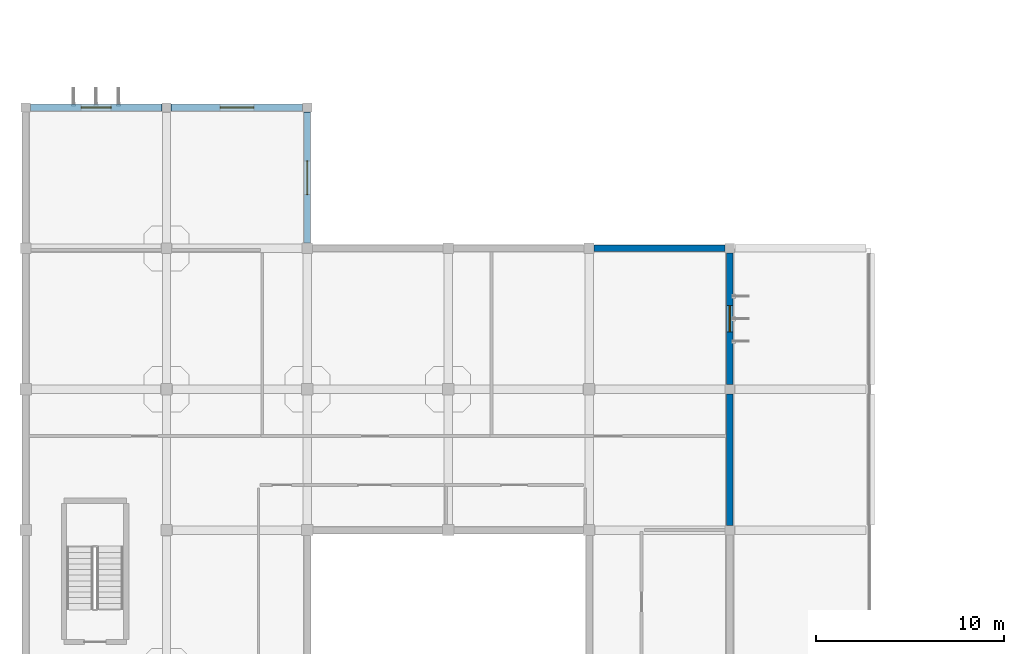
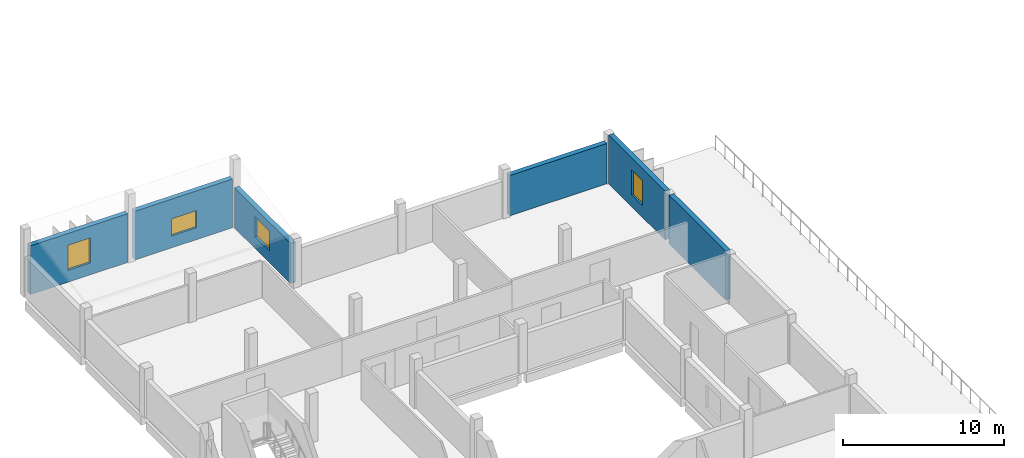
# One storey, part 7 of 21: 6 walls, 4 windows, 4 openings.
"""IFC4 building model written with IfcOpenShell, lengths in metres."""

from ifc_helpers import new_model, si_unit, direction, frame, frame_2d, origin, place, context, subcontext, project, spatial, rectangle, extrude, material, layer, layer_set, type_object, element, fill, save


model = new_model("IFC4")

# Units and contexts
model_context = context("Model", 3, precision=1e-05, world=origin(), true_north=direction((0.0, 1.0)))
body_context = subcontext(model_context, "Body", "Model", "MODEL_VIEW")
ifc_project = project(units=[si_unit("LENGTHUNIT", "METRE"), si_unit("AREAUNIT", "SQUARE_METRE"), si_unit("VOLUMEUNIT", "CUBIC_METRE"), si_unit("PLANEANGLEUNIT", "RADIAN"), si_unit("MASSUNIT", "GRAM", prefix="KILO")], contexts=[model_context])

# Site, building, storey
site_placement = place(None, origin())
site = spatial("IfcSite", under=ifc_project, at=site_placement, CompositionType="ELEMENT")
building_placement = place(site_placement, origin())
building = spatial("IfcBuilding", under=site, at=building_placement, Name="Mawjan Specialist Oncology Clinic", CompositionType="ELEMENT")
storey_placement = place(building_placement, frame((0.0, 0.0, 13.5)))
storey = spatial("IfcBuildingStorey", under=building, at=storey_placement, Name="L03", CompositionType="ELEMENT", Elevation=13.5)

# Wall
ifc_material_1 = material(Name="Precast concrete C40/50", Category="concrete")
ifc_layer = layer(ifc_material_1, 0.35009765625, Name="Precast concrete C40/50", Category="concrete")
ifc_layer_set = layer_set([ifc_layer], Name="Precast concrete C40/50")
wall_type = type_object("IfcWallType", Name="EW-350", PredefinedType="SOLIDWALL", material=ifc_layer_set)
wall_1_placement = place(storey_placement, frame((30.27490234375, 45.800048828125, 0.0), z_axis=(0.0, 0.0, 1.0), x_axis=(1.0, 0.0, 0.0)))
element("IfcWall", 1, at=wall_1_placement, inside=storey, type_object=wall_type, Name="L03 Coral-Limestone Exterior Wall EW-L03-272", PredefinedType="SOLIDWALL", context=body_context, shape_type="SweptSolid", body=[
    extrude(rectangle(XDim=6.97509765625, YDim=0.35009765625, at=frame_2d((3.487548828125, 0.0))), origin(), (0.0, 0.0, 1.0), 3.054931640625),
])

# Wall, opening, window
wall_2_placement = place(storey_placement, frame((37.5, 45.550048828125, 0.0), z_axis=(0.0, 0.0, 1.0), x_axis=(0.0, -1.0, 0.0)))
wall_2 = element("IfcWall", 2, at=wall_2_placement, inside=storey, type_object=wall_type, Name="L03 Coral-Limestone Exterior Wall EW-L03-273", PredefinedType="SOLIDWALL", context=body_context, shape_type="SweptSolid", body=[
    extrude(rectangle(XDim=7.0, YDim=0.35009765625, at=frame_2d((3.5, 0.0))), origin(), (0.0, 0.0, 1.0), 3.699951171875),
])
opening_1_placement = place(wall_2_placement, frame((2.800048828125, 0.0, 0.89990234375)))
opening_1 = element("IfcOpeningElement", 3, at=opening_1_placement, cuts=wall_2, Name="Opening WN-16", PredefinedType="OPENING", context=body_context, shape_type="SweptSolid", body=[
    extrude(rectangle(XDim=1.39990234375, YDim=1.89990234375, at=frame_2d((0.699951171875, 0.949951171875))), frame((0.0, 0.18701171875, 0.0), z_axis=(0.0, -1.0, 0.0), x_axis=(1.0, 0.0, 0.0)), (0.0, 0.0, 1.0), 0.3740234375),
])
ifc_material_2 = material(Name="Thermally broken low-E clinical aluminium window", Category="aluminium")
window_type_1 = type_object("IfcWindowType", Name="WN-16", PartitioningType="SINGLE_PANEL", PredefinedType="WINDOW", material=ifc_material_2)
window_1_placement = place(opening_1_placement, origin())
window_1 = element("IfcWindow", 4, at=window_1_placement, inside=storey, type_object=window_type_1, Name="L03 Clinical Low-E Window 052", OverallHeight=1.89990234375, OverallWidth=1.39990234375, PartitioningType="SINGLE_PANEL", PredefinedType="WINDOW", context=body_context, shape_type="SweptSolid", body=[
    extrude(rectangle(XDim=1.39990234375, YDim=1.89990234375, at=frame_2d((0.699951171875, 0.949951171875))), frame((0.0, 0.030029296875, 0.0), z_axis=(0.0, -1.0, 0.0), x_axis=(1.0, 0.0, 0.0)), (0.0, 0.0, 1.0), 0.06005859375),
])
fill(opening_1, window_1)

# Wall
wall_3_placement = place(storey_placement, frame((37.5, 38.050048828125, 0.0), z_axis=(0.0, 0.0, 1.0), x_axis=(0.0, -1.0, 0.0)))
element("IfcWall", 5, at=wall_3_placement, inside=storey, type_object=wall_type, Name="L03 Coral-Limestone Exterior Wall EW-L03-274", PredefinedType="SOLIDWALL", context=body_context, shape_type="SweptSolid", body=[
    extrude(rectangle(XDim=7.0, YDim=0.35009765625, at=frame_2d((3.5, 0.0))), origin(), (0.0, 0.0, 1.0), 3.699951171875),
])

# Wall, opening, window
wall_4_placement = place(storey_placement, frame((0.25, 53.300048828125, 0.0), z_axis=(0.0, 0.0, 1.0), x_axis=(1.0, 0.0, 0.0)))
wall_4 = element("IfcWall", 6, at=wall_4_placement, inside=storey, type_object=wall_type, Name="L03 Coral-Limestone Exterior Wall EW-L03-291", PredefinedType="SOLIDWALL", context=body_context, shape_type="SweptSolid", body=[
    extrude(rectangle(XDim=7.0, YDim=0.35009765625, at=frame_2d((3.5, 0.0))), origin(), (0.0, 0.0, 1.0), 3.68994140625),
])
opening_2_placement = place(wall_4_placement, frame((2.699951171875, 0.0, 0.89990234375)))
opening_2 = element("IfcOpeningElement", 7, at=opening_2_placement, cuts=wall_4, Name="Opening WN-20", PredefinedType="OPENING", context=body_context, shape_type="SweptSolid", body=[
    extrude(rectangle(XDim=1.60009765625, YDim=1.89990234375, at=frame_2d((0.800048828125, 0.949951171875))), frame((0.0, 0.18701171875, 0.0), z_axis=(0.0, -1.0, 0.0), x_axis=(1.0, 0.0, 0.0)), (0.0, 0.0, 1.0), 0.3740234375),
])
ifc_material_3 = material(Name="Thermally broken low-E clinical aluminium window", Category="aluminium")
window_type_2 = type_object("IfcWindowType", Name="WN-20", PartitioningType="DOUBLE_PANEL_VERTICAL", PredefinedType="WINDOW", material=ifc_material_3)
window_2_placement = place(opening_2_placement, origin())
window_2 = element("IfcWindow", 8, at=window_2_placement, inside=storey, type_object=window_type_2, Name="L03 Clinical Low-E Window 056", OverallHeight=1.89990234375, OverallWidth=1.60009765625, PartitioningType="DOUBLE_PANEL_VERTICAL", PredefinedType="WINDOW", context=body_context, shape_type="SweptSolid", body=[
    extrude(rectangle(XDim=1.60009765625, YDim=1.89990234375, at=frame_2d((0.800048828125, 0.949951171875))), frame((0.0, 0.030029296875, 0.0), z_axis=(0.0, -1.0, 0.0), x_axis=(1.0, 0.0, 0.0)), (0.0, 0.0, 1.0), 0.06005859375),
])
fill(opening_2, window_2)

wall_5_placement = place(storey_placement, frame((7.75, 53.300048828125, 0.0), z_axis=(0.0, 0.0, 1.0), x_axis=(1.0, 0.0, 0.0)))
wall_5 = element("IfcWall", 9, at=wall_5_placement, inside=storey, type_object=wall_type, Name="L03 Coral-Limestone Exterior Wall EW-L03-292", PredefinedType="SOLIDWALL", context=body_context, shape_type="SweptSolid", body=[
    extrude(rectangle(XDim=7.0, YDim=0.35009765625, at=frame_2d((3.5, 0.0))), origin(), (0.0, 0.0, 1.0), 3.68994140625),
])
opening_3_placement = place(wall_5_placement, frame((2.60009765625, 0.0, 0.89990234375)))
opening_3 = element("IfcOpeningElement", 10, at=opening_3_placement, cuts=wall_5, Name="Opening WN-21", PredefinedType="OPENING", context=body_context, shape_type="SweptSolid", body=[
    extrude(rectangle(XDim=1.800048828125, YDim=1.300048828125, at=frame_2d((0.89990234375, 0.64990234375))), frame((0.0, 0.18701171875, 0.0), z_axis=(0.0, -1.0, 0.0), x_axis=(1.0, 0.0, 0.0)), (0.0, 0.0, 1.0), 0.3740234375),
])
ifc_material_4 = material(Name="Thermally broken low-E clinical aluminium window", Category="aluminium")
window_type_3 = type_object("IfcWindowType", Name="WN-21", PartitioningType="DOUBLE_PANEL_VERTICAL", PredefinedType="WINDOW", material=ifc_material_4)
window_3_placement = place(opening_3_placement, origin())
window_3 = element("IfcWindow", 11, at=window_3_placement, inside=storey, type_object=window_type_3, Name="L03 Clinical Low-E Window 057", OverallHeight=1.300048828125, OverallWidth=1.800048828125, PartitioningType="DOUBLE_PANEL_VERTICAL", PredefinedType="WINDOW", context=body_context, shape_type="SweptSolid", body=[
    extrude(rectangle(XDim=1.800048828125, YDim=1.300048828125, at=frame_2d((0.89990234375, 0.64990234375))), frame((0.0, 0.030029296875, 0.0), z_axis=(0.0, -1.0, 0.0), x_axis=(1.0, 0.0, 0.0)), (0.0, 0.0, 1.0), 0.06005859375),
])
fill(opening_3, window_3)

wall_6_placement = place(storey_placement, frame((15.0, 53.050048828125, 0.0), z_axis=(0.0, 0.0, 1.0), x_axis=(0.0, -1.0, 0.0)))
wall_6 = element("IfcWall", 12, at=wall_6_placement, inside=storey, type_object=wall_type, Name="L03 Coral-Limestone Exterior Wall EW-L03-293", PredefinedType="SOLIDWALL", context=body_context, shape_type="SweptSolid", body=[
    extrude(rectangle(XDim=6.97509765625, YDim=0.35009765625, at=frame_2d((3.487548828125, 0.0))), origin(), (0.0, 0.0, 1.0), 3.054931640625),
])
opening_4_placement = place(wall_6_placement, frame((2.58740234375, 0.0, 0.89990234375)))
opening_4 = element("IfcOpeningElement", 13, at=opening_4_placement, cuts=wall_6, Name="Opening WN-22", PredefinedType="OPENING", context=body_context, shape_type="SweptSolid", body=[
    extrude(rectangle(XDim=1.800048828125, YDim=1.5, at=frame_2d((0.89990234375, 0.75))), frame((0.0, 0.18701171875, 0.0), z_axis=(0.0, -1.0, 0.0), x_axis=(1.0, 0.0, 0.0)), (0.0, 0.0, 1.0), 0.3740234375),
])
ifc_material_5 = material(Name="Thermally broken low-E clinical aluminium window", Category="aluminium")
window_type_4 = type_object("IfcWindowType", Name="WN-22", PartitioningType="DOUBLE_PANEL_VERTICAL", PredefinedType="WINDOW", material=ifc_material_5)
window_4_placement = place(opening_4_placement, origin())
window_4 = element("IfcWindow", 14, at=window_4_placement, inside=storey, type_object=window_type_4, Name="L03 Clinical Low-E Window 058", OverallHeight=1.5, OverallWidth=1.800048828125, PartitioningType="DOUBLE_PANEL_VERTICAL", PredefinedType="WINDOW", context=body_context, shape_type="SweptSolid", body=[
    extrude(rectangle(XDim=1.800048828125, YDim=1.5, at=frame_2d((0.89990234375, 0.75))), frame((0.0, 0.030029296875, 0.0), z_axis=(0.0, -1.0, 0.0), x_axis=(1.0, 0.0, 0.0)), (0.0, 0.0, 1.0), 0.06005859375),
])
fill(opening_4, window_4)

save(model, "model.ifc")
